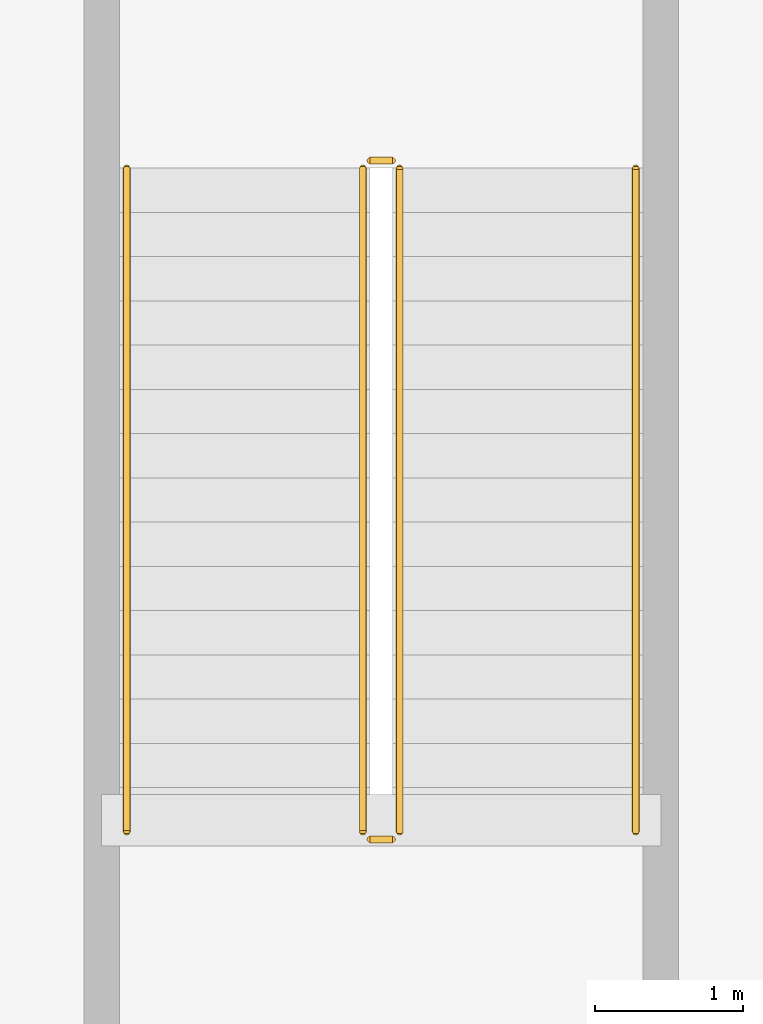
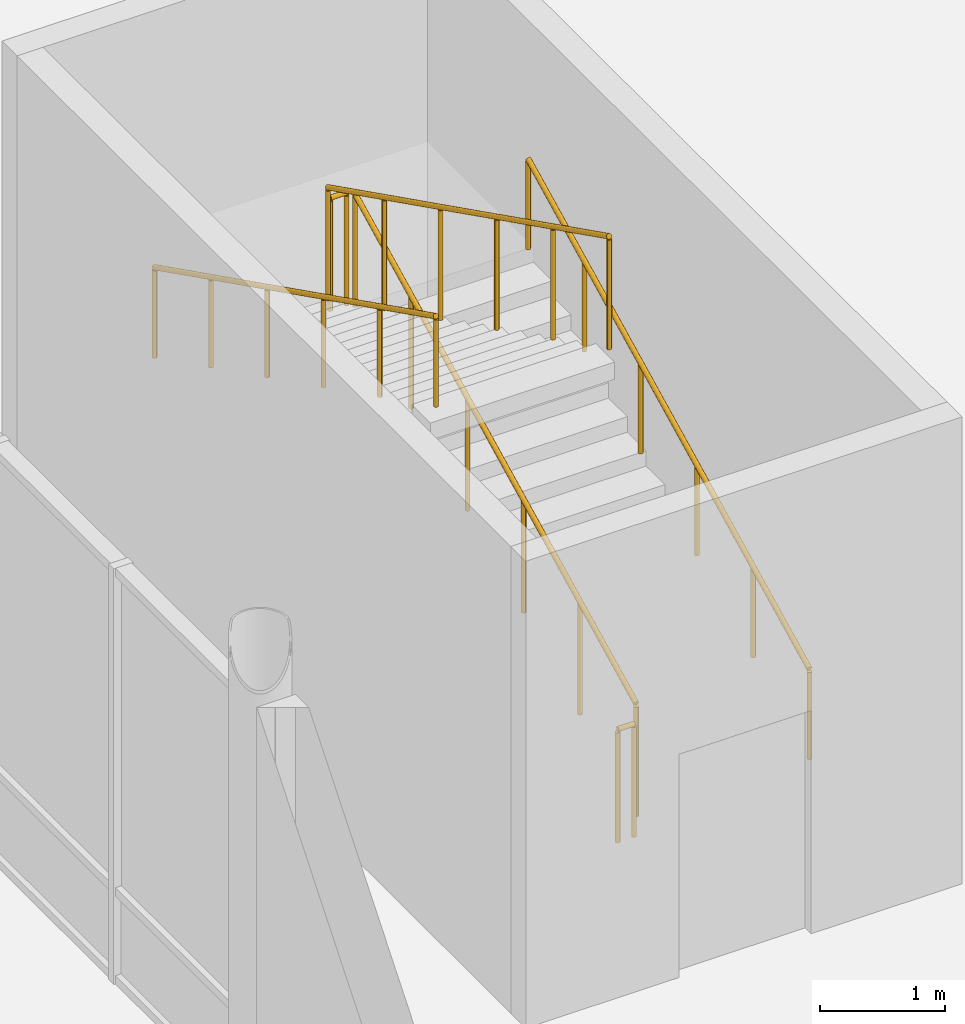
# One storey, part 74 of 82: 6 railings.
"""IFC4 building model written with IfcOpenShell, lengths in metres."""

from ifc_helpers import new_model, si_unit, direction, frame, origin, origin_2d, place, context, subcontext, project, spatial, circle, extrude, material, layer, layer_set, type_object, element, save


model = new_model("IFC4")

# Units and contexts
model_context = context("Model", 3, precision=1e-05, world=origin(), true_north=direction((0.0, 1.0)))
body_context = subcontext(model_context, "Body", "Model", "MODEL_VIEW")
ifc_project = project(units=[si_unit("LENGTHUNIT", "METRE"), si_unit("AREAUNIT", "SQUARE_METRE"), si_unit("VOLUMEUNIT", "CUBIC_METRE"), si_unit("PLANEANGLEUNIT", "RADIAN"), si_unit("MASSUNIT", "GRAM", prefix="KILO")], contexts=[model_context])

# Site, building, storey
site_placement = place(None, origin())
site = spatial("IfcSite", under=ifc_project, at=site_placement, CompositionType="ELEMENT")
building_placement = place(site_placement, origin())
building = spatial("IfcBuilding", under=site, at=building_placement, Name="Yukiwa Park Conservatory and Herbarium", CompositionType="ELEMENT")
storey_placement = place(building_placement, origin())
storey = spatial("IfcBuildingStorey", under=building, at=storey_placement, Name="L00", CompositionType="ELEMENT", Elevation=0.0)

# Railings
ifc_material_1 = material(Name="Steel Q235B", Category="steel")
ifc_layer_1 = layer(ifc_material_1, 0.050048828125)
ifc_layer_set_1 = layer_set([ifc_layer_1], Name="Steel Q235B")
railing_type_1 = type_object("IfcRailingType", Name="RL-STAIR-GUARD-1120", PredefinedType="BALUSTRADE", material=ifc_layer_set_1)
railing_1_placement = place(storey_placement, frame((4.60009765625, 9.14990234375, 0.14990234375)))
element("IfcRailing", 1, at=railing_1_placement, inside=storey, type_object=railing_type_1, Name="L00 ST-C1 stair guard 1", PredefinedType="BALUSTRADE", context=body_context, shape_type="SweptSolid", body=[
    extrude(circle(Radius=0.02392578125, at=origin_2d()), frame((0.0, 0.0, 1.09619140625), z_axis=(0.0, 0.894427191, 0.4472135955), x_axis=(-1.0, 0.0, 0.0)), (0.0, 0.0, 1.0), 5.03125),
    extrude(circle(Radius=0.02099609375, at=origin_2d()), origin(), (0.0, 0.0, 1.0), 1.072021484375),
    extrude(circle(Radius=0.02099609375, at=origin_2d()), frame((0.0, 0.89990234375, 0.449951171875)), (0.0, 0.0, 1.0), 1.072021484375),
    extrude(circle(Radius=0.02099609375, at=origin_2d()), frame((0.0, 1.800048828125, 0.89990234375)), (0.0, 0.0, 1.0), 1.072021484375),
    extrude(circle(Radius=0.02099609375, at=origin_2d()), frame((0.0, 2.699951171875, 1.35009765625)), (0.0, 0.0, 1.0), 1.072021484375),
    extrude(circle(Radius=0.02099609375, at=origin_2d()), frame((0.0, 3.60009765625, 1.800048828125)), (0.0, 0.0, 1.0), 1.072021484375),
    extrude(circle(Radius=0.02099609375, at=origin_2d()), frame((0.0, 4.5, 2.25)), (0.0, 0.0, 1.0), 1.072021484375),
])
railing_2_placement = place(storey_placement, frame((4.550048828125, 13.699951171875, 2.39990234375)))
element("IfcRailing", 2, at=railing_2_placement, inside=storey, type_object=railing_type_1, Name="L00 ST-C1 stair guard 2", PredefinedType="BALUSTRADE", context=body_context, shape_type="SweptSolid", body=[
    extrude(circle(Radius=0.02392578125, at=origin_2d()), frame((0.0, 0.0, 1.09619140625), z_axis=(-1.0, 0.0, 0.0), x_axis=(0.0, -1.0, 0.0)), (0.0, 0.0, 1.0), 0.150146484375),
    extrude(circle(Radius=0.02099609375, at=origin_2d()), origin(), (0.0, 0.0, 1.0), 1.072021484375),
    extrude(circle(Radius=0.02099609375, at=origin_2d()), frame((-0.150146484375, 0.0, 0.0)), (0.0, 0.0, 1.0), 1.072021484375),
])
railing_3_placement = place(storey_placement, frame((4.35009765625, 13.64990234375, 2.550048828125)))
element("IfcRailing", 3, at=railing_3_placement, inside=storey, type_object=railing_type_1, Name="L00 ST-C1 stair guard 3", PredefinedType="BALUSTRADE", context=body_context, shape_type="SweptSolid", body=[
    extrude(circle(Radius=0.02392578125, at=origin_2d()), frame((0.0, 0.0, 1.09619140625), z_axis=(0.0, -0.894427191, 0.4472135955), x_axis=(1.0, 0.0, 0.0)), (0.0, 0.0, 1.0), 5.03125),
    extrude(circle(Radius=0.02099609375, at=origin_2d()), origin(), (0.0, 0.0, 1.0), 1.072021484375),
    extrude(circle(Radius=0.02099609375, at=origin_2d()), frame((0.0, -0.89990234375, 0.449951171875)), (0.0, 0.0, 1.0), 1.072021484375),
    extrude(circle(Radius=0.02099609375, at=origin_2d()), frame((0.0, -1.800048828125, 0.89990234375)), (0.0, 0.0, 1.0), 1.072021484375),
    extrude(circle(Radius=0.02099609375, at=origin_2d()), frame((0.0, -2.699951171875, 1.35009765625)), (0.0, 0.0, 1.0), 1.072021484375),
    extrude(circle(Radius=0.02099609375, at=origin_2d()), frame((0.0, -3.60009765625, 1.800048828125)), (0.0, 0.0, 1.0), 1.072021484375),
    extrude(circle(Radius=0.02099609375, at=origin_2d()), frame((0.0, -4.5, 2.25)), (0.0, 0.0, 1.0), 1.072021484375),
])
railing_4_placement = place(storey_placement, frame((4.550048828125, 9.10009765625, 0.0)))
element("IfcRailing", 4, at=railing_4_placement, inside=storey, type_object=railing_type_1, Name="L00 ST-C1 stair guard 4", PredefinedType="BALUSTRADE", context=body_context, shape_type="SweptSolid", body=[
    extrude(circle(Radius=0.02392578125, at=origin_2d()), frame((0.0, 0.0, 1.09619140625), z_axis=(-1.0, 0.0, 0.0), x_axis=(0.0, -1.0, 0.0)), (0.0, 0.0, 1.0), 0.150146484375),
    extrude(circle(Radius=0.02099609375, at=origin_2d()), origin(), (0.0, 0.0, 1.0), 1.072021484375),
    extrude(circle(Radius=0.02099609375, at=origin_2d()), frame((-0.150146484375, 0.0, 0.0)), (0.0, 0.0, 1.0), 1.072021484375),
])
ifc_material_2 = material(Name="Steel Q235B", Category="steel")
ifc_layer_2 = layer(ifc_material_2, 0.044921875)
ifc_layer_set_2 = layer_set([ifc_layer_2], Name="Steel Q235B")
railing_type_2 = type_object("IfcRailingType", Name="RL-STAIR-RAIL-900", PredefinedType="HANDRAIL", material=ifc_layer_set_2)
railing_5_placement = place(storey_placement, frame((6.199951171875, 9.14990234375, 0.14990234375)))
element("IfcRailing", 5, at=railing_5_placement, inside=storey, type_object=railing_type_2, Name="L00 ST-C1 stair handrail 1", PredefinedType="HANDRAIL", context=body_context, shape_type="SweptSolid", body=[
    extrude(circle(Radius=0.02392578125, at=origin_2d()), frame((0.0, 0.0, 0.8759765625), z_axis=(0.0, 0.894427191, 0.4472135955), x_axis=(-1.0, 0.0, 0.0)), (0.0, 0.0, 1.0), 5.03125),
    extrude(circle(Radius=0.02099609375, at=origin_2d()), origin(), (0.0, 0.0, 1.0), 0.851806640625),
    extrude(circle(Radius=0.02099609375, at=origin_2d()), frame((0.0, 0.89990234375, 0.449951171875)), (0.0, 0.0, 1.0), 0.851806640625),
    extrude(circle(Radius=0.02099609375, at=origin_2d()), frame((0.0, 1.800048828125, 0.89990234375)), (0.0, 0.0, 1.0), 0.851806640625),
    extrude(circle(Radius=0.02099609375, at=origin_2d()), frame((0.0, 2.699951171875, 1.35009765625)), (0.0, 0.0, 1.0), 0.851806640625),
    extrude(circle(Radius=0.02099609375, at=origin_2d()), frame((0.0, 3.60009765625, 1.800048828125)), (0.0, 0.0, 1.0), 0.851806640625),
    extrude(circle(Radius=0.02099609375, at=origin_2d()), frame((0.0, 4.5, 2.25)), (0.0, 0.0, 1.0), 0.851806640625),
])
railing_6_placement = place(storey_placement, frame((2.75, 13.64990234375, 2.550048828125)))
element("IfcRailing", 6, at=railing_6_placement, inside=storey, type_object=railing_type_2, Name="L00 ST-C1 stair handrail 2", PredefinedType="HANDRAIL", context=body_context, shape_type="SweptSolid", body=[
    extrude(circle(Radius=0.02392578125, at=origin_2d()), frame((0.0, 0.0, 0.8759765625), z_axis=(0.0, -0.894427191, 0.4472135955), x_axis=(1.0, 0.0, 0.0)), (0.0, 0.0, 1.0), 5.03125),
    extrude(circle(Radius=0.02099609375, at=origin_2d()), origin(), (0.0, 0.0, 1.0), 0.851806640625),
    extrude(circle(Radius=0.02099609375, at=origin_2d()), frame((0.0, -0.89990234375, 0.449951171875)), (0.0, 0.0, 1.0), 0.851806640625),
    extrude(circle(Radius=0.02099609375, at=origin_2d()), frame((0.0, -1.800048828125, 0.89990234375)), (0.0, 0.0, 1.0), 0.851806640625),
    extrude(circle(Radius=0.02099609375, at=origin_2d()), frame((0.0, -2.699951171875, 1.35009765625)), (0.0, 0.0, 1.0), 0.851806640625),
    extrude(circle(Radius=0.02099609375, at=origin_2d()), frame((0.0, -3.60009765625, 1.800048828125)), (0.0, 0.0, 1.0), 0.851806640625),
    extrude(circle(Radius=0.02099609375, at=origin_2d()), frame((0.0, -4.5, 2.25)), (0.0, 0.0, 1.0), 0.851806640625),
])

save(model, "model.ifc")
